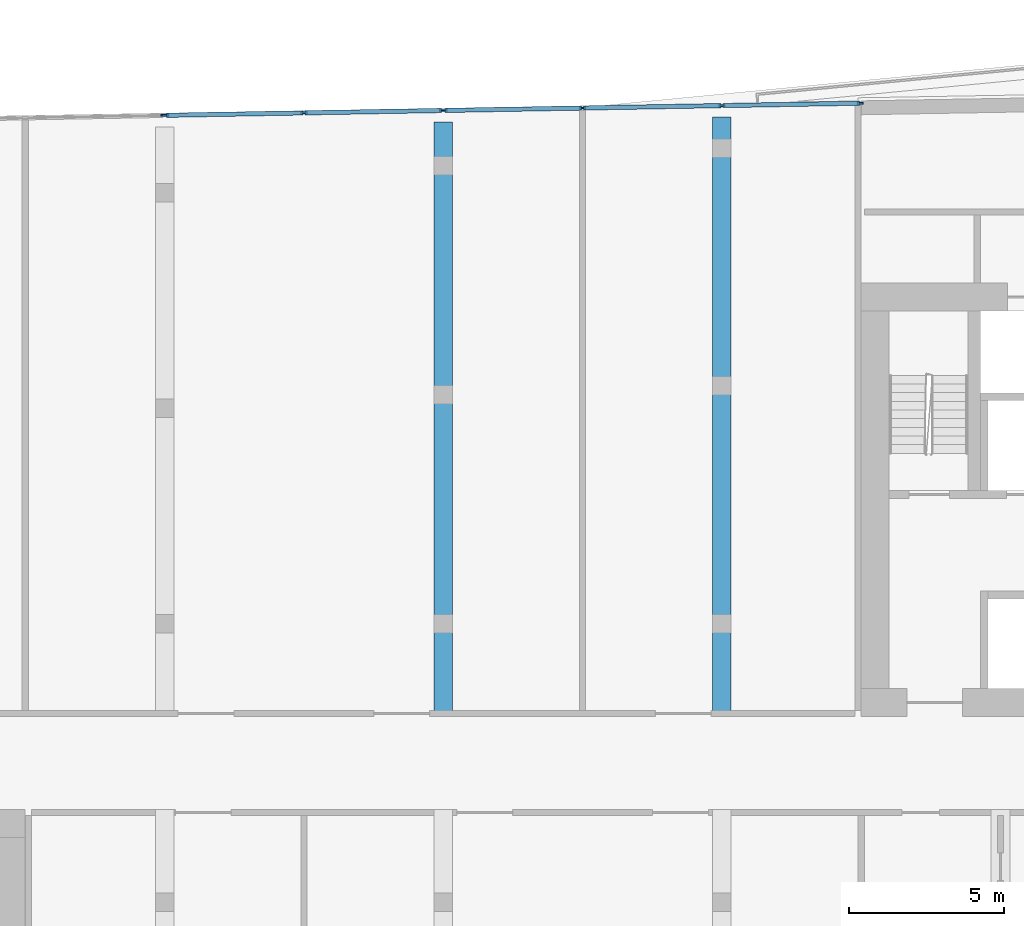
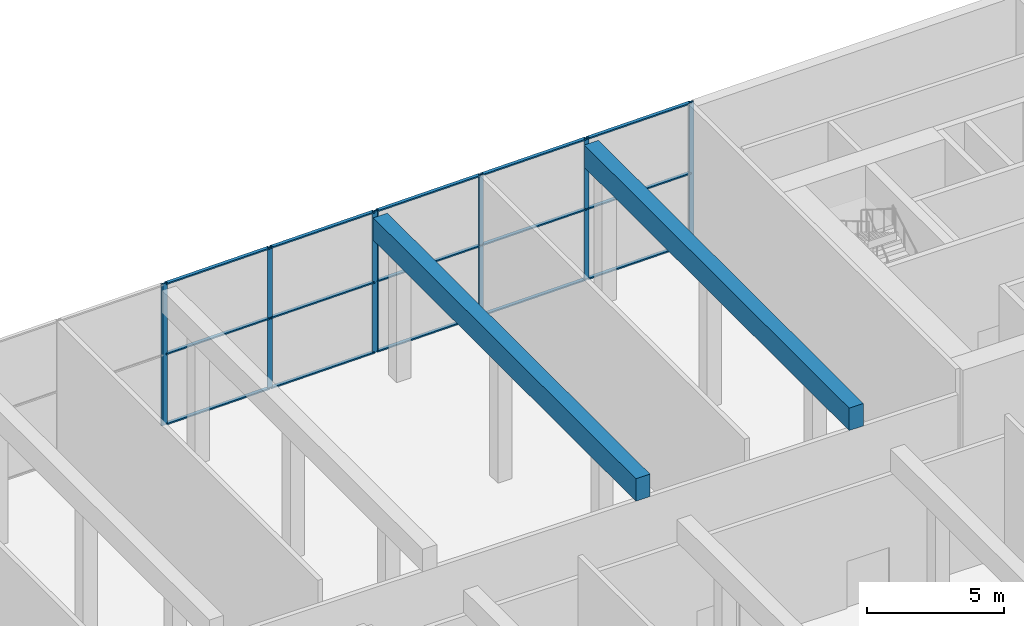
# One storey, part 6 of 24: 23 members, 2 beams, 3 elements without a shape of their own.
"""IFC4 building model written with IfcOpenShell, lengths in metres."""

from ifc_helpers import new_model, si_unit, direction, frame, origin, origin_2d, place, context, subcontext, project, spatial, rectangle, extrude, material, material_profile, profile_set, type_object, element, aggregate, save


model = new_model("IFC4")

# Units and contexts
model_context = context("Model", 3, precision=1e-05, world=origin(), true_north=direction((0.0, 1.0)))
body_context = subcontext(model_context, "Body", "Model", "MODEL_VIEW")
ifc_project = project(units=[si_unit("LENGTHUNIT", "METRE"), si_unit("AREAUNIT", "SQUARE_METRE"), si_unit("VOLUMEUNIT", "CUBIC_METRE"), si_unit("PLANEANGLEUNIT", "RADIAN"), si_unit("MASSUNIT", "GRAM", prefix="KILO")], contexts=[model_context])

# Site, building, storey
site_placement = place(None, origin())
site = spatial("IfcSite", under=ifc_project, at=site_placement, CompositionType="ELEMENT")
building_placement = place(site_placement, origin())
building = spatial("IfcBuilding", under=site, at=building_placement, Name="Kajstack Hotel Tower", CompositionType="ELEMENT")
storey_placement = place(building_placement, frame((0.0, 0.0, 211.10009765625)))
storey = spatial("IfcBuildingStorey", under=building, at=storey_placement, Name="L51", CompositionType="ELEMENT", Elevation=211.10009765625)

# Curtain wall, members
ifc_material_1 = material(Name="Aluminium-framed curtain wall, low-iron insulated glass", Category="aluminium")
curtain_wall_type = type_object("IfcCurtainWallType", Name="CW-GARDEN", PredefinedType="NOTDEFINED", material=ifc_material_1)
curtain_wall_1_placement = place(storey_placement, origin())
curtain_wall_1 = element("IfcCurtainWall", 1, at=curtain_wall_1_placement, inside=storey, type_object=curtain_wall_type, Name="Curtain wall CU6 L51-12-02-0", PredefinedType="NOTDEFINED")
ifc_material_2 = material(Name="Aluminium", Category="aluminium")
ifc_material_profile_1 = material_profile(ifc_material_2, rectangle(XDim=0.06005859375, YDim=0.199951171875, at=origin_2d()), Name="Aluminium mullion 60 x 200")
ifc_profile_set_1 = profile_set([ifc_material_profile_1], Name="Aluminium")
member_type_1 = type_object("IfcMemberType", Name="CW-M-GARDEN", PredefinedType="MULLION", material=ifc_profile_set_1)
member_1_placement = place(storey_placement, frame((13.471435546875, 21.31103515625, 0.0), z_axis=(0.0, 0.0, 1.0), x_axis=(0.017452774977, -0.999847688723, 0.0)))
member_1 = element("IfcMember", 2, at=member_1_placement, type_object=member_type_1, Name="CU6 mullion 1", PredefinedType="MULLION", context=body_context, shape_type="SweptSolid", body=[
    extrude(rectangle(XDim=0.06005859375, YDim=0.199951171875, at=origin_2d()), origin(), (0.0, 0.0, 1.0), 6.31982421875),
])
member_2_placement = place(storey_placement, frame((9.001220703125, 21.23291015625, 0.0), z_axis=(0.0, 0.0, 1.0), x_axis=(0.017452774977, -0.999847688723, 0.0)))
member_2 = element("IfcMember", 3, at=member_2_placement, type_object=member_type_1, Name="CU6 mullion 2", PredefinedType="MULLION", context=body_context, shape_type="SweptSolid", body=[
    extrude(rectangle(XDim=0.06005859375, YDim=0.199951171875, at=origin_2d()), origin(), (0.0, 0.0, 1.0), 6.31982421875),
])
member_3_placement = place(storey_placement, frame((4.501220703125, 21.154296875, 0.0), z_axis=(0.0, 0.0, 1.0), x_axis=(0.017452774977, -0.999847688723, 0.0)))
member_3 = element("IfcMember", 4, at=member_3_placement, type_object=member_type_1, Name="CU6 mullion 3", PredefinedType="MULLION", context=body_context, shape_type="SweptSolid", body=[
    extrude(rectangle(XDim=0.06005859375, YDim=0.199951171875, at=origin_2d()), origin(), (0.0, 0.0, 1.0), 6.31982421875),
])
member_4_placement = place(storey_placement, frame((0.03125, 21.076416015625, 0.0), z_axis=(0.0, 0.0, 1.0), x_axis=(0.017452774977, -0.999847688723, 0.0)))
member_4 = element("IfcMember", 5, at=member_4_placement, type_object=member_type_1, Name="CU6 mullion 4", PredefinedType="MULLION", context=body_context, shape_type="SweptSolid", body=[
    extrude(rectangle(XDim=0.06005859375, YDim=0.199951171875, at=origin_2d()), origin(), (0.0, 0.0, 1.0), 6.31982421875),
])

curtain_wall_2_placement = place(storey_placement, origin())
curtain_wall_2 = element("IfcCurtainWall", 6, at=curtain_wall_2_placement, inside=storey, type_object=curtain_wall_type, Name="Curtain wall CU6 L51-12-02-1", PredefinedType="NOTDEFINED")
member_5_placement = place(storey_placement, frame((-0.028564453125, 21.0751953125, 0.0), z_axis=(0.0, 0.0, 1.0), x_axis=(0.017452848375, -0.999847687442, 0.0)))
member_5 = element("IfcMember", 7, at=member_5_placement, type_object=member_type_1, Name="CU6 mullion 1", PredefinedType="MULLION", context=body_context, shape_type="SweptSolid", body=[
    extrude(rectangle(XDim=0.06005859375, YDim=0.199951171875, at=origin_2d()), origin(), (0.0, 0.0, 1.0), 6.31982421875),
])
member_6_placement = place(storey_placement, frame((-4.498779296875, 20.997314453125, 0.0), z_axis=(0.0, 0.0, 1.0), x_axis=(0.017452848375, -0.999847687442, 0.0)))
member_6 = element("IfcMember", 8, at=member_6_placement, type_object=member_type_1, Name="CU6 mullion 2", PredefinedType="MULLION", context=body_context, shape_type="SweptSolid", body=[
    extrude(rectangle(XDim=0.06005859375, YDim=0.199951171875, at=origin_2d()), origin(), (0.0, 0.0, 1.0), 6.31982421875),
])
member_7_placement = place(storey_placement, frame((-8.96875, 20.919189453125, 0.0), z_axis=(0.0, 0.0, 1.0), x_axis=(0.017452848375, -0.999847687442, 0.0)))
member_7 = element("IfcMember", 9, at=member_7_placement, type_object=member_type_1, Name="CU6 mullion 3", PredefinedType="MULLION", context=body_context, shape_type="SweptSolid", body=[
    extrude(rectangle(XDim=0.06005859375, YDim=0.199951171875, at=origin_2d()), origin(), (0.0, 0.0, 1.0), 6.31982421875),
])

# Curtain wall, member
curtain_wall_3_placement = place(storey_placement, origin())
curtain_wall_3 = element("IfcCurtainWall", 10, at=curtain_wall_3_placement, inside=storey, type_object=curtain_wall_type, Name="Curtain wall CU6 L51-12-02-2", PredefinedType="NOTDEFINED")
member_8_placement = place(storey_placement, frame((-9.02880859375, 20.918212890625, 0.0), z_axis=(0.0, 0.0, 1.0), x_axis=(0.017452756148, -0.999847689052, 0.0)))
member_8 = element("IfcMember", 11, at=member_8_placement, type_object=member_type_1, Name="CU6 mullion 1", PredefinedType="MULLION", context=body_context, shape_type="SweptSolid", body=[
    extrude(rectangle(XDim=0.06005859375, YDim=0.199951171875, at=origin_2d()), origin(), (0.0, 0.0, 1.0), 6.31982421875),
])
aggregate(curtain_wall_3, [member_8])

# Member
ifc_material_profile_2 = material_profile(ifc_material_2, rectangle(XDim=0.139892578125, YDim=0.06005859375, at=origin_2d()), Name="Aluminium transom 140 x 60")
ifc_profile_set_2 = profile_set([ifc_material_profile_2], Name="Aluminium")
member_type_2 = type_object("IfcMemberType", Name="CW-T-GARDEN", PredefinedType="USERDEFINED", material=ifc_profile_set_2)
member_9_placement = place(storey_placement, frame((13.44140625, 21.310302734375, 0.02978515625), z_axis=(-0.999847992775, -0.017435347527, 0.0), x_axis=(0.017435347527, -0.999847992775, 0.0)))
member_9 = element("IfcMember", 12, at=member_9_placement, type_object=member_type_2, Name="CU6 transom 1.1", ObjectType="TRANSOM", PredefinedType="USERDEFINED", context=body_context, shape_type="SweptSolid", body=[
    extrude(rectangle(XDim=0.139892578125, YDim=0.06005859375, at=origin_2d()), origin(), (0.0, 0.0, 1.0), 4.410888671875),
])

member_10_placement = place(storey_placement, frame((13.44140625, 21.310302734375, 3.159912109375), z_axis=(-0.999847992775, -0.017435347527, 0.0), x_axis=(0.017435347527, -0.999847992775, 0.0)))
member_10 = element("IfcMember", 13, at=member_10_placement, type_object=member_type_2, Name="CU6 transom 1.2", ObjectType="TRANSOM", PredefinedType="USERDEFINED", context=body_context, shape_type="SweptSolid", body=[
    extrude(rectangle(XDim=0.139892578125, YDim=0.06005859375, at=origin_2d()), origin(), (0.0, 0.0, 1.0), 4.410888671875),
])

member_11_placement = place(storey_placement, frame((13.44140625, 21.310302734375, 6.289794921875), z_axis=(-0.999847992775, -0.017435347527, 0.0), x_axis=(0.017435347527, -0.999847992775, 0.0)))
member_11 = element("IfcMember", 14, at=member_11_placement, type_object=member_type_2, Name="CU6 transom 1.3", ObjectType="TRANSOM", PredefinedType="USERDEFINED", context=body_context, shape_type="SweptSolid", body=[
    extrude(rectangle(XDim=0.139892578125, YDim=0.06005859375, at=origin_2d()), origin(), (0.0, 0.0, 1.0), 4.410888671875),
])

member_12_placement = place(storey_placement, frame((8.971435546875, 21.232421875, 0.02978515625), z_axis=(-0.999847172136, -0.017482344572, 0.0), x_axis=(0.017482344572, -0.999847172136, 0.0)))
member_12 = element("IfcMember", 15, at=member_12_placement, type_object=member_type_2, Name="CU6 transom 2.1", ObjectType="TRANSOM", PredefinedType="USERDEFINED", context=body_context, shape_type="SweptSolid", body=[
    extrude(rectangle(XDim=0.139892578125, YDim=0.06005859375, at=origin_2d()), origin(), (0.0, 0.0, 1.0), 4.44091796875),
])

member_13_placement = place(storey_placement, frame((8.971435546875, 21.232421875, 3.159912109375), z_axis=(-0.999847172136, -0.017482344572, 0.0), x_axis=(0.017482344572, -0.999847172136, 0.0)))
member_13 = element("IfcMember", 16, at=member_13_placement, type_object=member_type_2, Name="CU6 transom 2.2", ObjectType="TRANSOM", PredefinedType="USERDEFINED", context=body_context, shape_type="SweptSolid", body=[
    extrude(rectangle(XDim=0.139892578125, YDim=0.06005859375, at=origin_2d()), origin(), (0.0, 0.0, 1.0), 4.44091796875),
])

member_14_placement = place(storey_placement, frame((8.971435546875, 21.232421875, 6.289794921875), z_axis=(-0.999847172136, -0.017482344572, 0.0), x_axis=(0.017482344572, -0.999847172136, 0.0)))
member_14 = element("IfcMember", 17, at=member_14_placement, type_object=member_type_2, Name="CU6 transom 2.3", ObjectType="TRANSOM", PredefinedType="USERDEFINED", context=body_context, shape_type="SweptSolid", body=[
    extrude(rectangle(XDim=0.139892578125, YDim=0.06005859375, at=origin_2d()), origin(), (0.0, 0.0, 1.0), 4.44091796875),
])

member_15_placement = place(storey_placement, frame((4.471435546875, 21.15380859375, 0.02978515625), z_axis=(-0.999847992775, -0.017435347527, 0.0), x_axis=(0.017435347527, -0.999847992775, 0.0)))
member_15 = element("IfcMember", 18, at=member_15_placement, type_object=member_type_2, Name="CU6 transom 3.1", ObjectType="TRANSOM", PredefinedType="USERDEFINED", context=body_context, shape_type="SweptSolid", body=[
    extrude(rectangle(XDim=0.139892578125, YDim=0.06005859375, at=origin_2d()), origin(), (0.0, 0.0, 1.0), 4.410888671875),
])

member_16_placement = place(storey_placement, frame((4.471435546875, 21.15380859375, 3.159912109375), z_axis=(-0.999847992775, -0.017435347527, 0.0), x_axis=(0.017435347527, -0.999847992775, 0.0)))
member_16 = element("IfcMember", 19, at=member_16_placement, type_object=member_type_2, Name="CU6 transom 3.2", ObjectType="TRANSOM", PredefinedType="USERDEFINED", context=body_context, shape_type="SweptSolid", body=[
    extrude(rectangle(XDim=0.139892578125, YDim=0.06005859375, at=origin_2d()), origin(), (0.0, 0.0, 1.0), 4.410888671875),
])

member_17_placement = place(storey_placement, frame((4.471435546875, 21.15380859375, 6.289794921875), z_axis=(-0.999847992775, -0.017435347527, 0.0), x_axis=(0.017435347527, -0.999847992775, 0.0)))
member_17 = element("IfcMember", 20, at=member_17_placement, type_object=member_type_2, Name="CU6 transom 3.3", ObjectType="TRANSOM", PredefinedType="USERDEFINED", context=body_context, shape_type="SweptSolid", body=[
    extrude(rectangle(XDim=0.139892578125, YDim=0.06005859375, at=origin_2d()), origin(), (0.0, 0.0, 1.0), 4.410888671875),
])

aggregate(curtain_wall_1, [member_1, member_2, member_3, member_4, member_9, member_10, member_11, member_12, member_13, member_14, member_15, member_16, member_17])

member_18_placement = place(storey_placement, frame((-0.05859375, 21.07470703125, 0.02978515625), z_axis=(-0.999847992775, -0.017435347527, 0.0), x_axis=(0.017435347527, -0.999847992775, 0.0)))
member_18 = element("IfcMember", 21, at=member_18_placement, type_object=member_type_2, Name="CU6 transom 1.1", ObjectType="TRANSOM", PredefinedType="USERDEFINED", context=body_context, shape_type="SweptSolid", body=[
    extrude(rectangle(XDim=0.139892578125, YDim=0.06005859375, at=origin_2d()), origin(), (0.0, 0.0, 1.0), 4.410888671875),
])

member_19_placement = place(storey_placement, frame((-0.05859375, 21.07470703125, 3.159912109375), z_axis=(-0.999847992775, -0.017435347527, 0.0), x_axis=(0.017435347527, -0.999847992775, 0.0)))
member_19 = element("IfcMember", 22, at=member_19_placement, type_object=member_type_2, Name="CU6 transom 1.2", ObjectType="TRANSOM", PredefinedType="USERDEFINED", context=body_context, shape_type="SweptSolid", body=[
    extrude(rectangle(XDim=0.139892578125, YDim=0.06005859375, at=origin_2d()), origin(), (0.0, 0.0, 1.0), 4.410888671875),
])

member_20_placement = place(storey_placement, frame((-0.05859375, 21.07470703125, 6.289794921875), z_axis=(-0.999847992775, -0.017435347527, 0.0), x_axis=(0.017435347527, -0.999847992775, 0.0)))
member_20 = element("IfcMember", 23, at=member_20_placement, type_object=member_type_2, Name="CU6 transom 1.3", ObjectType="TRANSOM", PredefinedType="USERDEFINED", context=body_context, shape_type="SweptSolid", body=[
    extrude(rectangle(XDim=0.139892578125, YDim=0.06005859375, at=origin_2d()), origin(), (0.0, 0.0, 1.0), 4.410888671875),
])

member_21_placement = place(storey_placement, frame((-4.52880859375, 20.996826171875, 0.02978515625), z_axis=(-0.999847009405, -0.017491648949, 0.0), x_axis=(0.017491648949, -0.999847009405, 0.0)))
member_21 = element("IfcMember", 24, at=member_21_placement, type_object=member_type_2, Name="CU6 transom 2.1", ObjectType="TRANSOM", PredefinedType="USERDEFINED", context=body_context, shape_type="SweptSolid", body=[
    extrude(rectangle(XDim=0.139892578125, YDim=0.06005859375, at=origin_2d()), origin(), (0.0, 0.0, 1.0), 4.41064453125),
])

member_22_placement = place(storey_placement, frame((-4.52880859375, 20.996826171875, 3.159912109375), z_axis=(-0.999847009405, -0.017491648949, 0.0), x_axis=(0.017491648949, -0.999847009405, 0.0)))
member_22 = element("IfcMember", 25, at=member_22_placement, type_object=member_type_2, Name="CU6 transom 2.2", ObjectType="TRANSOM", PredefinedType="USERDEFINED", context=body_context, shape_type="SweptSolid", body=[
    extrude(rectangle(XDim=0.139892578125, YDim=0.06005859375, at=origin_2d()), origin(), (0.0, 0.0, 1.0), 4.41064453125),
])

member_23_placement = place(storey_placement, frame((-4.52880859375, 20.996826171875, 6.289794921875), z_axis=(-0.999847009405, -0.017491648949, 0.0), x_axis=(0.017491648949, -0.999847009405, 0.0)))
member_23 = element("IfcMember", 26, at=member_23_placement, type_object=member_type_2, Name="CU6 transom 2.3", ObjectType="TRANSOM", PredefinedType="USERDEFINED", context=body_context, shape_type="SweptSolid", body=[
    extrude(rectangle(XDim=0.139892578125, YDim=0.06005859375, at=origin_2d()), origin(), (0.0, 0.0, 1.0), 4.41064453125),
])

aggregate(curtain_wall_2, [member_5, member_6, member_7, member_18, member_19, member_20, member_21, member_22, member_23])

# Beams
ifc_material_3 = material(Name="Concrete C60/75", Category="concrete")
ifc_material_profile_3 = material_profile(ifc_material_3, rectangle(XDim=0.60009765625, YDim=1.0, at=origin_2d()), Name="RC 600x1000")
ifc_profile_set_3 = profile_set([ifc_material_profile_3], Name="Concrete C60/75")
beam_type = type_object("IfcBeamType", Name="TG4 RC 600x1000 C60/75", PredefinedType="BEAM", material=ifc_profile_set_3)
beam_1_placement = place(storey_placement, frame((0.0, 1.5, 5.81982421875), z_axis=(0.0, 1.0, 0.0), x_axis=(-1.0, 0.0, 0.0)))
element("IfcBeam", 27, at=beam_1_placement, inside=storey, type_object=beam_type, Name="S-girder-L51-+0p0-2", PredefinedType="BEAM", context=body_context, shape_type="SweptSolid", body=[
    extrude(rectangle(XDim=0.60009765625, YDim=1.0, at=origin_2d()), origin(), (0.0, 0.0, 1.0), 19.20068359375),
])
beam_2_placement = place(storey_placement, frame((9.0, 1.5, 5.81982421875), z_axis=(0.0, 1.0, 0.0), x_axis=(-1.0, 0.0, 0.0)))
element("IfcBeam", 28, at=beam_2_placement, inside=storey, type_object=beam_type, Name="S-girder-L51-+9p0-2", PredefinedType="BEAM", context=body_context, shape_type="SweptSolid", body=[
    extrude(rectangle(XDim=0.60009765625, YDim=1.0, at=origin_2d()), origin(), (0.0, 0.0, 1.0), 19.35791015625),
])

save(model, "model.ifc")
